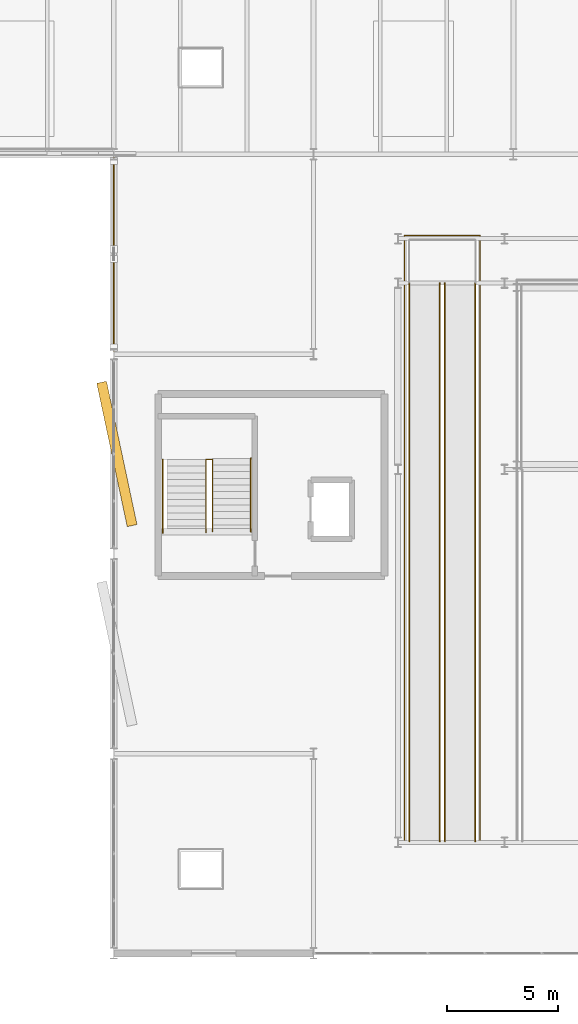
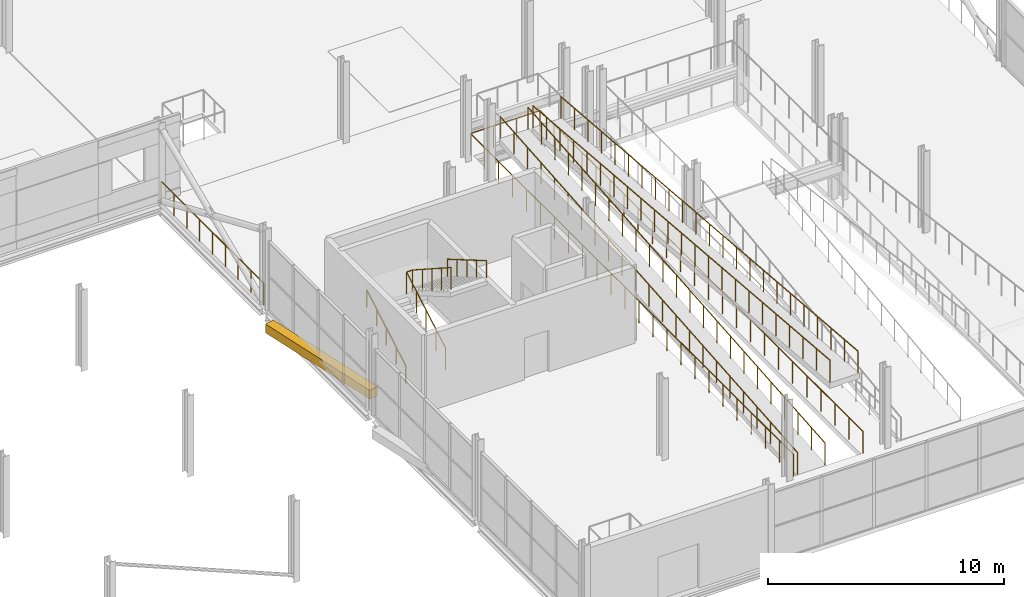
# One storey, part 131 of 140: 9 railings, 1 shading device.
"""IFC4 building model written with IfcOpenShell, lengths in metres."""

from ifc_helpers import new_model, si_unit, direction, frame, origin, origin_2d, place, context, subcontext, project, spatial, rectangle, circle, extrude, material, layer, layer_set, type_object, element, save


model = new_model("IFC4")

# Units and contexts
model_context = context("Model", 3, precision=1e-05, world=origin(), true_north=direction((0.0, 1.0)))
body_context = subcontext(model_context, "Body", "Model", "MODEL_VIEW")
ifc_project = project(units=[si_unit("LENGTHUNIT", "METRE"), si_unit("AREAUNIT", "SQUARE_METRE"), si_unit("VOLUMEUNIT", "CUBIC_METRE"), si_unit("PLANEANGLEUNIT", "RADIAN"), si_unit("MASSUNIT", "GRAM", prefix="KILO")], contexts=[model_context])

# Site, building, storey
site_placement = place(None, origin())
site = spatial("IfcSite", under=ifc_project, at=site_placement, CompositionType="ELEMENT")
building_placement = place(site_placement, origin())
building = spatial("IfcBuilding", under=site, at=building_placement, Name="Deido Ridge Mobility Hub", CompositionType="ELEMENT")
storey_placement = place(building_placement, origin())
storey = spatial("IfcBuildingStorey", under=building, at=storey_placement, Name="L00", CompositionType="ELEMENT", Elevation=0.0)

# Railings
ifc_material_1 = material(Name="Galvanised steel work", Category="steel")
railing_type_1 = type_object("IfcRailingType", Name="RL-GRD-EXT-1150", PredefinedType="GUARDRAIL", material=ifc_material_1)
railing_1_placement = place(storey_placement, frame((72.0, 72.14990234375, 0.0)))
element("IfcRailing", 1, at=railing_1_placement, inside=storey, type_object=railing_type_1, Name="Braced bay perimeter guard (L00)", PredefinedType="GUARDRAIL", context=body_context, shape_type="SweptSolid", body=[
    extrude(circle(Radius=0.02392578125, at=origin_2d()), frame((0.0, 0.0, 1.1259765625), z_axis=(0.0, 1.0, 0.0), x_axis=(-1.0, 0.0, 0.0)), (0.0, 0.0, 1.0), 8.7001953125),
    extrude(circle(Radius=0.02099609375, at=origin_2d()), origin(), (0.0, 0.0, 1.0), 1.101806640625),
    extrude(circle(Radius=0.02099609375, at=origin_2d()), frame((0.0, 1.08740234375, 0.0)), (0.0, 0.0, 1.0), 1.101806640625),
    extrude(circle(Radius=0.02099609375, at=origin_2d()), frame((0.0, 2.175048828125, 0.0)), (0.0, 0.0, 1.0), 1.101806640625),
    extrude(circle(Radius=0.02099609375, at=origin_2d()), frame((0.0, 3.2626953125, 0.0)), (0.0, 0.0, 1.0), 1.101806640625),
    extrude(circle(Radius=0.02099609375, at=origin_2d()), frame((0.0, 4.35009765625, 0.0)), (0.0, 0.0, 1.0), 1.101806640625),
    extrude(circle(Radius=0.02099609375, at=origin_2d()), frame((0.0, 5.4375, 0.0)), (0.0, 0.0, 1.0), 1.101806640625),
    extrude(circle(Radius=0.02099609375, at=origin_2d()), frame((0.0, 6.525146484375, 0.0)), (0.0, 0.0, 1.0), 1.101806640625),
    extrude(circle(Radius=0.02099609375, at=origin_2d()), frame((0.0, 7.61279296875, 0.0)), (0.0, 0.0, 1.0), 1.101806640625),
    extrude(circle(Radius=0.02099609375, at=origin_2d()), frame((0.0, 8.7001953125, 0.0)), (0.0, 0.0, 1.0), 1.101806640625),
])
railing_2_placement = place(storey_placement, frame((85.10009765625, 50.0, 0.0)))
element("IfcRailing", 2, at=railing_2_placement, inside=storey, type_object=railing_type_1, Name="Cycle ramp well guard (L00)", PredefinedType="GUARDRAIL", context=body_context, shape_type="SweptSolid", body=[
    extrude(circle(Radius=0.02392578125, at=origin_2d()), frame((0.0, 0.0, 1.1259765625), z_axis=(0.0, 1.0, 0.0), x_axis=(-1.0, 0.0, 0.0)), (0.0, 0.0, 1.0), 27.35009765625),
    extrude(circle(Radius=0.02392578125, at=origin_2d()), frame((0.0, 27.35009765625, 1.1259765625), z_axis=(1.0, 0.0, 0.0), x_axis=(0.0, 1.0, 0.0)), (0.0, 0.0, 1.0), 3.39990234375),
    extrude(circle(Radius=0.02392578125, at=origin_2d()), frame((3.39990234375, 27.35009765625, 1.1259765625), z_axis=(0.0, -1.0, 0.0), x_axis=(1.0, 0.0, 0.0)), (0.0, 0.0, 1.0), 27.35009765625),
    extrude(circle(Radius=0.02099609375, at=origin_2d()), origin(), (0.0, 0.0, 1.0), 1.101806640625),
    extrude(circle(Radius=0.02099609375, at=origin_2d()), frame((0.0, 1.189208984375, 0.0)), (0.0, 0.0, 1.0), 1.101806640625),
    extrude(circle(Radius=0.02099609375, at=origin_2d()), frame((0.0, 2.378173828125, 0.0)), (0.0, 0.0, 1.0), 1.101806640625),
    extrude(circle(Radius=0.02099609375, at=origin_2d()), frame((0.0, 3.5673828125, 0.0)), (0.0, 0.0, 1.0), 1.101806640625),
    extrude(circle(Radius=0.02099609375, at=origin_2d()), frame((0.0, 4.756591796875, 0.0)), (0.0, 0.0, 1.0), 1.101806640625),
    extrude(circle(Radius=0.02099609375, at=origin_2d()), frame((0.0, 5.945556640625, 0.0)), (0.0, 0.0, 1.0), 1.101806640625),
    extrude(circle(Radius=0.02099609375, at=origin_2d()), frame((0.0, 7.134765625, 0.0)), (0.0, 0.0, 1.0), 1.101806640625),
    extrude(circle(Radius=0.02099609375, at=origin_2d()), frame((0.0, 8.323974609375, 0.0)), (0.0, 0.0, 1.0), 1.101806640625),
    extrude(circle(Radius=0.02099609375, at=origin_2d()), frame((0.0, 9.51318359375, 0.0)), (0.0, 0.0, 1.0), 1.101806640625),
    extrude(circle(Radius=0.02099609375, at=origin_2d()), frame((0.0, 10.7021484375, 0.0)), (0.0, 0.0, 1.0), 1.101806640625),
    extrude(circle(Radius=0.02099609375, at=origin_2d()), frame((0.0, 11.891357421875, 0.0)), (0.0, 0.0, 1.0), 1.101806640625),
    extrude(circle(Radius=0.02099609375, at=origin_2d()), frame((0.0, 13.08056640625, 0.0)), (0.0, 0.0, 1.0), 1.101806640625),
    extrude(circle(Radius=0.02099609375, at=origin_2d()), frame((0.0, 14.26953125, 0.0)), (0.0, 0.0, 1.0), 1.101806640625),
    extrude(circle(Radius=0.02099609375, at=origin_2d()), frame((0.0, 15.458740234375, 0.0)), (0.0, 0.0, 1.0), 1.101806640625),
    extrude(circle(Radius=0.02099609375, at=origin_2d()), frame((0.0, 16.64794921875, 0.0)), (0.0, 0.0, 1.0), 1.101806640625),
    extrude(circle(Radius=0.02099609375, at=origin_2d()), frame((0.0, 17.8369140625, 0.0)), (0.0, 0.0, 1.0), 1.101806640625),
    extrude(circle(Radius=0.02099609375, at=origin_2d()), frame((0.0, 19.026123046875, 0.0)), (0.0, 0.0, 1.0), 1.101806640625),
    extrude(circle(Radius=0.02099609375, at=origin_2d()), frame((0.0, 20.21533203125, 0.0)), (0.0, 0.0, 1.0), 1.101806640625),
    extrude(circle(Radius=0.02099609375, at=origin_2d()), frame((0.0, 21.404541015625, 0.0)), (0.0, 0.0, 1.0), 1.101806640625),
    extrude(circle(Radius=0.02099609375, at=origin_2d()), frame((0.0, 22.593505859375, 0.0)), (0.0, 0.0, 1.0), 1.101806640625),
    extrude(circle(Radius=0.02099609375, at=origin_2d()), frame((0.0, 23.78271484375, 0.0)), (0.0, 0.0, 1.0), 1.101806640625),
    extrude(circle(Radius=0.02099609375, at=origin_2d()), frame((0.0, 24.971923828125, 0.0)), (0.0, 0.0, 1.0), 1.101806640625),
    extrude(circle(Radius=0.02099609375, at=origin_2d()), frame((0.0, 26.160888671875, 0.0)), (0.0, 0.0, 1.0), 1.101806640625),
    extrude(circle(Radius=0.02099609375, at=origin_2d()), frame((0.0, 27.35009765625, 0.0)), (0.0, 0.0, 1.0), 1.101806640625),
    extrude(circle(Radius=0.02099609375, at=origin_2d()), frame((1.13330078125, 27.35009765625, 0.0)), (0.0, 0.0, 1.0), 1.101806640625),
    extrude(circle(Radius=0.02099609375, at=origin_2d()), frame((2.2666015625, 27.35009765625, 0.0)), (0.0, 0.0, 1.0), 1.101806640625),
    extrude(circle(Radius=0.02099609375, at=origin_2d()), frame((3.39990234375, 27.35009765625, 0.0)), (0.0, 0.0, 1.0), 1.101806640625),
    extrude(circle(Radius=0.02099609375, at=origin_2d()), frame((3.39990234375, 26.160888671875, 0.0)), (0.0, 0.0, 1.0), 1.101806640625),
    extrude(circle(Radius=0.02099609375, at=origin_2d()), frame((3.39990234375, 24.971923828125, 0.0)), (0.0, 0.0, 1.0), 1.101806640625),
    extrude(circle(Radius=0.02099609375, at=origin_2d()), frame((3.39990234375, 23.78271484375, 0.0)), (0.0, 0.0, 1.0), 1.101806640625),
    extrude(circle(Radius=0.02099609375, at=origin_2d()), frame((3.39990234375, 22.593505859375, 0.0)), (0.0, 0.0, 1.0), 1.101806640625),
    extrude(circle(Radius=0.02099609375, at=origin_2d()), frame((3.39990234375, 21.404541015625, 0.0)), (0.0, 0.0, 1.0), 1.101806640625),
    extrude(circle(Radius=0.02099609375, at=origin_2d()), frame((3.39990234375, 20.21533203125, 0.0)), (0.0, 0.0, 1.0), 1.101806640625),
    extrude(circle(Radius=0.02099609375, at=origin_2d()), frame((3.39990234375, 19.026123046875, 0.0)), (0.0, 0.0, 1.0), 1.101806640625),
    extrude(circle(Radius=0.02099609375, at=origin_2d()), frame((3.39990234375, 17.8369140625, 0.0)), (0.0, 0.0, 1.0), 1.101806640625),
    extrude(circle(Radius=0.02099609375, at=origin_2d()), frame((3.39990234375, 16.64794921875, 0.0)), (0.0, 0.0, 1.0), 1.101806640625),
    extrude(circle(Radius=0.02099609375, at=origin_2d()), frame((3.39990234375, 15.458740234375, 0.0)), (0.0, 0.0, 1.0), 1.101806640625),
    extrude(circle(Radius=0.02099609375, at=origin_2d()), frame((3.39990234375, 14.26953125, 0.0)), (0.0, 0.0, 1.0), 1.101806640625),
    extrude(circle(Radius=0.02099609375, at=origin_2d()), frame((3.39990234375, 13.08056640625, 0.0)), (0.0, 0.0, 1.0), 1.101806640625),
    extrude(circle(Radius=0.02099609375, at=origin_2d()), frame((3.39990234375, 11.891357421875, 0.0)), (0.0, 0.0, 1.0), 1.101806640625),
    extrude(circle(Radius=0.02099609375, at=origin_2d()), frame((3.39990234375, 10.7021484375, 0.0)), (0.0, 0.0, 1.0), 1.101806640625),
    extrude(circle(Radius=0.02099609375, at=origin_2d()), frame((3.39990234375, 9.51318359375, 0.0)), (0.0, 0.0, 1.0), 1.101806640625),
    extrude(circle(Radius=0.02099609375, at=origin_2d()), frame((3.39990234375, 8.323974609375, 0.0)), (0.0, 0.0, 1.0), 1.101806640625),
    extrude(circle(Radius=0.02099609375, at=origin_2d()), frame((3.39990234375, 7.134765625, 0.0)), (0.0, 0.0, 1.0), 1.101806640625),
    extrude(circle(Radius=0.02099609375, at=origin_2d()), frame((3.39990234375, 5.945556640625, 0.0)), (0.0, 0.0, 1.0), 1.101806640625),
    extrude(circle(Radius=0.02099609375, at=origin_2d()), frame((3.39990234375, 4.756591796875, 0.0)), (0.0, 0.0, 1.0), 1.101806640625),
    extrude(circle(Radius=0.02099609375, at=origin_2d()), frame((3.39990234375, 3.5673828125, 0.0)), (0.0, 0.0, 1.0), 1.101806640625),
    extrude(circle(Radius=0.02099609375, at=origin_2d()), frame((3.39990234375, 2.378173828125, 0.0)), (0.0, 0.0, 1.0), 1.101806640625),
    extrude(circle(Radius=0.02099609375, at=origin_2d()), frame((3.39990234375, 1.189208984375, 0.0)), (0.0, 0.0, 1.0), 1.101806640625),
    extrude(circle(Radius=0.02099609375, at=origin_2d()), frame((3.39990234375, 0.0, 0.0)), (0.0, 0.0, 1.0), 1.101806640625),
])
railing_3_placement = place(storey_placement, frame((85.320068359375, 50.050048828125, 0.0)))
element("IfcRailing", 3, at=railing_3_placement, inside=storey, type_object=railing_type_1, Name="Cycle ramp F1 guard (L00)", PredefinedType="GUARDRAIL", context=body_context, shape_type="SweptSolid", body=[
    extrude(circle(Radius=0.02392578125, at=origin_2d()), frame((0.0, 0.0, 1.1259765625), z_axis=(0.0, 0.996531733804, 0.083213601784), x_axis=(-1.0, 0.0, 0.0)), (0.0, 0.0, 1.0), 25.237548828125),
    extrude(circle(Radius=0.02099609375, at=origin_2d()), origin(), (0.0, 0.0, 1.0), 1.101806640625),
    extrude(circle(Radius=0.02099609375, at=origin_2d()), frame((0.0, 1.14306640625, 0.095458984375)), (0.0, 0.0, 1.0), 1.101806640625),
    extrude(circle(Radius=0.02099609375, at=origin_2d()), frame((0.0, 2.286376953125, 0.19091796875)), (0.0, 0.0, 1.0), 1.101806640625),
    extrude(circle(Radius=0.02099609375, at=origin_2d()), frame((0.0, 3.429443359375, 0.286376953125)), (0.0, 0.0, 1.0), 1.101806640625),
    extrude(circle(Radius=0.02099609375, at=origin_2d()), frame((0.0, 4.57275390625, 0.3818359375)), (0.0, 0.0, 1.0), 1.101806640625),
    extrude(circle(Radius=0.02099609375, at=origin_2d()), frame((0.0, 5.7158203125, 0.477294921875)), (0.0, 0.0, 1.0), 1.101806640625),
    extrude(circle(Radius=0.02099609375, at=origin_2d()), frame((0.0, 6.859130859375, 0.57275390625)), (0.0, 0.0, 1.0), 1.101806640625),
    extrude(circle(Radius=0.02099609375, at=origin_2d()), frame((0.0, 8.002197265625, 0.668212890625)), (0.0, 0.0, 1.0), 1.101806640625),
    extrude(circle(Radius=0.02099609375, at=origin_2d()), frame((0.0, 9.1455078125, 0.763671875)), (0.0, 0.0, 1.0), 1.101806640625),
    extrude(circle(Radius=0.02099609375, at=origin_2d()), frame((0.0, 10.28857421875, 0.859130859375)), (0.0, 0.0, 1.0), 1.101806640625),
    extrude(circle(Radius=0.02099609375, at=origin_2d()), frame((0.0, 11.431884765625, 0.95458984375)), (0.0, 0.0, 1.0), 1.101806640625),
    extrude(circle(Radius=0.02099609375, at=origin_2d()), frame((0.0, 12.574951171875, 1.050048828125)), (0.0, 0.0, 1.0), 1.101806640625),
    extrude(circle(Radius=0.02099609375, at=origin_2d()), frame((0.0, 13.718017578125, 1.1455078125)), (0.0, 0.0, 1.0), 1.101806640625),
    extrude(circle(Radius=0.02099609375, at=origin_2d()), frame((0.0, 14.861328125, 1.240966796875)), (0.0, 0.0, 1.0), 1.101806640625),
    extrude(circle(Radius=0.02099609375, at=origin_2d()), frame((0.0, 16.00439453125, 1.33642578125)), (0.0, 0.0, 1.0), 1.101806640625),
    extrude(circle(Radius=0.02099609375, at=origin_2d()), frame((0.0, 17.147705078125, 1.431884765625)), (0.0, 0.0, 1.0), 1.101806640625),
    extrude(circle(Radius=0.02099609375, at=origin_2d()), frame((0.0, 18.290771484375, 1.52734375)), (0.0, 0.0, 1.0), 1.101806640625),
    extrude(circle(Radius=0.02099609375, at=origin_2d()), frame((0.0, 19.43408203125, 1.622802734375)), (0.0, 0.0, 1.0), 1.101806640625),
    extrude(circle(Radius=0.02099609375, at=origin_2d()), frame((0.0, 20.5771484375, 1.71826171875)), (0.0, 0.0, 1.0), 1.101806640625),
    extrude(circle(Radius=0.02099609375, at=origin_2d()), frame((0.0, 21.720458984375, 1.813720703125)), (0.0, 0.0, 1.0), 1.101806640625),
    extrude(circle(Radius=0.02099609375, at=origin_2d()), frame((0.0, 22.863525390625, 1.9091796875)), (0.0, 0.0, 1.0), 1.101806640625),
    extrude(circle(Radius=0.02099609375, at=origin_2d()), frame((0.0, 24.0068359375, 2.004638671875)), (0.0, 0.0, 1.0), 1.101806640625),
    extrude(circle(Radius=0.02099609375, at=origin_2d()), frame((0.0, 25.14990234375, 2.10009765625)), (0.0, 0.0, 1.0), 1.101806640625),
])
railing_4_placement = place(storey_placement, frame((86.679931640625, 50.050048828125, 0.0)))
element("IfcRailing", 4, at=railing_4_placement, inside=storey, type_object=railing_type_1, Name="Cycle ramp F1 guard (L00)", PredefinedType="GUARDRAIL", context=body_context, shape_type="SweptSolid", body=[
    extrude(circle(Radius=0.02392578125, at=origin_2d()), frame((0.0, 0.0, 1.1259765625), z_axis=(0.0, 0.996531733804, 0.083213601784), x_axis=(-1.0, 0.0, 0.0)), (0.0, 0.0, 1.0), 25.237548828125),
    extrude(circle(Radius=0.02099609375, at=origin_2d()), origin(), (0.0, 0.0, 1.0), 1.101806640625),
    extrude(circle(Radius=0.02099609375, at=origin_2d()), frame((0.0, 1.14306640625, 0.095458984375)), (0.0, 0.0, 1.0), 1.101806640625),
    extrude(circle(Radius=0.02099609375, at=origin_2d()), frame((0.0, 2.286376953125, 0.19091796875)), (0.0, 0.0, 1.0), 1.101806640625),
    extrude(circle(Radius=0.02099609375, at=origin_2d()), frame((0.0, 3.429443359375, 0.286376953125)), (0.0, 0.0, 1.0), 1.101806640625),
    extrude(circle(Radius=0.02099609375, at=origin_2d()), frame((0.0, 4.57275390625, 0.3818359375)), (0.0, 0.0, 1.0), 1.101806640625),
    extrude(circle(Radius=0.02099609375, at=origin_2d()), frame((0.0, 5.7158203125, 0.477294921875)), (0.0, 0.0, 1.0), 1.101806640625),
    extrude(circle(Radius=0.02099609375, at=origin_2d()), frame((0.0, 6.859130859375, 0.57275390625)), (0.0, 0.0, 1.0), 1.101806640625),
    extrude(circle(Radius=0.02099609375, at=origin_2d()), frame((0.0, 8.002197265625, 0.668212890625)), (0.0, 0.0, 1.0), 1.101806640625),
    extrude(circle(Radius=0.02099609375, at=origin_2d()), frame((0.0, 9.1455078125, 0.763671875)), (0.0, 0.0, 1.0), 1.101806640625),
    extrude(circle(Radius=0.02099609375, at=origin_2d()), frame((0.0, 10.28857421875, 0.859130859375)), (0.0, 0.0, 1.0), 1.101806640625),
    extrude(circle(Radius=0.02099609375, at=origin_2d()), frame((0.0, 11.431884765625, 0.95458984375)), (0.0, 0.0, 1.0), 1.101806640625),
    extrude(circle(Radius=0.02099609375, at=origin_2d()), frame((0.0, 12.574951171875, 1.050048828125)), (0.0, 0.0, 1.0), 1.101806640625),
    extrude(circle(Radius=0.02099609375, at=origin_2d()), frame((0.0, 13.718017578125, 1.1455078125)), (0.0, 0.0, 1.0), 1.101806640625),
    extrude(circle(Radius=0.02099609375, at=origin_2d()), frame((0.0, 14.861328125, 1.240966796875)), (0.0, 0.0, 1.0), 1.101806640625),
    extrude(circle(Radius=0.02099609375, at=origin_2d()), frame((0.0, 16.00439453125, 1.33642578125)), (0.0, 0.0, 1.0), 1.101806640625),
    extrude(circle(Radius=0.02099609375, at=origin_2d()), frame((0.0, 17.147705078125, 1.431884765625)), (0.0, 0.0, 1.0), 1.101806640625),
    extrude(circle(Radius=0.02099609375, at=origin_2d()), frame((0.0, 18.290771484375, 1.52734375)), (0.0, 0.0, 1.0), 1.101806640625),
    extrude(circle(Radius=0.02099609375, at=origin_2d()), frame((0.0, 19.43408203125, 1.622802734375)), (0.0, 0.0, 1.0), 1.101806640625),
    extrude(circle(Radius=0.02099609375, at=origin_2d()), frame((0.0, 20.5771484375, 1.71826171875)), (0.0, 0.0, 1.0), 1.101806640625),
    extrude(circle(Radius=0.02099609375, at=origin_2d()), frame((0.0, 21.720458984375, 1.813720703125)), (0.0, 0.0, 1.0), 1.101806640625),
    extrude(circle(Radius=0.02099609375, at=origin_2d()), frame((0.0, 22.863525390625, 1.9091796875)), (0.0, 0.0, 1.0), 1.101806640625),
    extrude(circle(Radius=0.02099609375, at=origin_2d()), frame((0.0, 24.0068359375, 2.004638671875)), (0.0, 0.0, 1.0), 1.101806640625),
    extrude(circle(Radius=0.02099609375, at=origin_2d()), frame((0.0, 25.14990234375, 2.10009765625)), (0.0, 0.0, 1.0), 1.101806640625),
])
railing_5_placement = place(storey_placement, frame((86.919921875, 75.199951171875, 2.10009765625)))
element("IfcRailing", 5, at=railing_5_placement, inside=storey, type_object=railing_type_1, Name="Cycle ramp F2 guard (L00)", PredefinedType="GUARDRAIL", context=body_context, shape_type="SweptSolid", body=[
    extrude(circle(Radius=0.02392578125, at=origin_2d()), frame((0.0, 0.0, 1.1259765625), z_axis=(0.0, -0.996532535954, 0.083203995008), x_axis=(1.0, 0.0, 0.0)), (0.0, 0.0, 1.0), 25.2373046875),
    extrude(circle(Radius=0.02099609375, at=origin_2d()), origin(), (0.0, 0.0, 1.0), 1.101806640625),
    extrude(circle(Radius=0.02099609375, at=origin_2d()), frame((0.0, -1.14306640625, 0.095458984375)), (0.0, 0.0, 1.0), 1.101806640625),
    extrude(circle(Radius=0.02099609375, at=origin_2d()), frame((0.0, -2.286376953125, 0.19091796875)), (0.0, 0.0, 1.0), 1.101806640625),
    extrude(circle(Radius=0.02099609375, at=origin_2d()), frame((0.0, -3.429443359375, 0.286376953125)), (0.0, 0.0, 1.0), 1.101806640625),
    extrude(circle(Radius=0.02099609375, at=origin_2d()), frame((0.0, -4.57275390625, 0.3818359375)), (0.0, 0.0, 1.0), 1.101806640625),
    extrude(circle(Radius=0.02099609375, at=origin_2d()), frame((0.0, -5.7158203125, 0.477294921875)), (0.0, 0.0, 1.0), 1.101806640625),
    extrude(circle(Radius=0.02099609375, at=origin_2d()), frame((0.0, -6.859130859375, 0.57275390625)), (0.0, 0.0, 1.0), 1.101806640625),
    extrude(circle(Radius=0.02099609375, at=origin_2d()), frame((0.0, -8.002197265625, 0.668212890625)), (0.0, 0.0, 1.0), 1.101806640625),
    extrude(circle(Radius=0.02099609375, at=origin_2d()), frame((0.0, -9.1455078125, 0.763671875)), (0.0, 0.0, 1.0), 1.101806640625),
    extrude(circle(Radius=0.02099609375, at=origin_2d()), frame((0.0, -10.28857421875, 0.859130859375)), (0.0, 0.0, 1.0), 1.101806640625),
    extrude(circle(Radius=0.02099609375, at=origin_2d()), frame((0.0, -11.431884765625, 0.95458984375)), (0.0, 0.0, 1.0), 1.101806640625),
    extrude(circle(Radius=0.02099609375, at=origin_2d()), frame((0.0, -12.574951171875, 1.0498046875)), (0.0, 0.0, 1.0), 1.101806640625),
    extrude(circle(Radius=0.02099609375, at=origin_2d()), frame((0.0, -13.718017578125, 1.145263671875)), (0.0, 0.0, 1.0), 1.101806640625),
    extrude(circle(Radius=0.02099609375, at=origin_2d()), frame((0.0, -14.861328125, 1.24072265625)), (0.0, 0.0, 1.0), 1.101806640625),
    extrude(circle(Radius=0.02099609375, at=origin_2d()), frame((0.0, -16.00439453125, 1.336181640625)), (0.0, 0.0, 1.0), 1.101806640625),
    extrude(circle(Radius=0.02099609375, at=origin_2d()), frame((0.0, -17.147705078125, 1.431640625)), (0.0, 0.0, 1.0), 1.101806640625),
    extrude(circle(Radius=0.02099609375, at=origin_2d()), frame((0.0, -18.290771484375, 1.527099609375)), (0.0, 0.0, 1.0), 1.101806640625),
    extrude(circle(Radius=0.02099609375, at=origin_2d()), frame((0.0, -19.43408203125, 1.62255859375)), (0.0, 0.0, 1.0), 1.101806640625),
    extrude(circle(Radius=0.02099609375, at=origin_2d()), frame((0.0, -20.5771484375, 1.718017578125)), (0.0, 0.0, 1.0), 1.101806640625),
    extrude(circle(Radius=0.02099609375, at=origin_2d()), frame((0.0, -21.720458984375, 1.8134765625)), (0.0, 0.0, 1.0), 1.101806640625),
    extrude(circle(Radius=0.02099609375, at=origin_2d()), frame((0.0, -22.863525390625, 1.908935546875)), (0.0, 0.0, 1.0), 1.101806640625),
    extrude(circle(Radius=0.02099609375, at=origin_2d()), frame((0.0, -24.0068359375, 2.00439453125)), (0.0, 0.0, 1.0), 1.101806640625),
    extrude(circle(Radius=0.02099609375, at=origin_2d()), frame((0.0, -25.14990234375, 2.099853515625)), (0.0, 0.0, 1.0), 1.101806640625),
])
railing_6_placement = place(storey_placement, frame((88.280029296875, 75.199951171875, 2.10009765625)))
element("IfcRailing", 6, at=railing_6_placement, inside=storey, type_object=railing_type_1, Name="Cycle ramp F2 guard (L00)", PredefinedType="GUARDRAIL", context=body_context, shape_type="SweptSolid", body=[
    extrude(circle(Radius=0.02392578125, at=origin_2d()), frame((0.0, 0.0, 1.1259765625), z_axis=(0.0, -0.996532535954, 0.083203995008), x_axis=(1.0, 0.0, 0.0)), (0.0, 0.0, 1.0), 25.2373046875),
    extrude(circle(Radius=0.02099609375, at=origin_2d()), origin(), (0.0, 0.0, 1.0), 1.101806640625),
    extrude(circle(Radius=0.02099609375, at=origin_2d()), frame((0.0, -1.14306640625, 0.095458984375)), (0.0, 0.0, 1.0), 1.101806640625),
    extrude(circle(Radius=0.02099609375, at=origin_2d()), frame((0.0, -2.286376953125, 0.19091796875)), (0.0, 0.0, 1.0), 1.101806640625),
    extrude(circle(Radius=0.02099609375, at=origin_2d()), frame((0.0, -3.429443359375, 0.286376953125)), (0.0, 0.0, 1.0), 1.101806640625),
    extrude(circle(Radius=0.02099609375, at=origin_2d()), frame((0.0, -4.57275390625, 0.3818359375)), (0.0, 0.0, 1.0), 1.101806640625),
    extrude(circle(Radius=0.02099609375, at=origin_2d()), frame((0.0, -5.7158203125, 0.477294921875)), (0.0, 0.0, 1.0), 1.101806640625),
    extrude(circle(Radius=0.02099609375, at=origin_2d()), frame((0.0, -6.859130859375, 0.57275390625)), (0.0, 0.0, 1.0), 1.101806640625),
    extrude(circle(Radius=0.02099609375, at=origin_2d()), frame((0.0, -8.002197265625, 0.668212890625)), (0.0, 0.0, 1.0), 1.101806640625),
    extrude(circle(Radius=0.02099609375, at=origin_2d()), frame((0.0, -9.1455078125, 0.763671875)), (0.0, 0.0, 1.0), 1.101806640625),
    extrude(circle(Radius=0.02099609375, at=origin_2d()), frame((0.0, -10.28857421875, 0.859130859375)), (0.0, 0.0, 1.0), 1.101806640625),
    extrude(circle(Radius=0.02099609375, at=origin_2d()), frame((0.0, -11.431884765625, 0.95458984375)), (0.0, 0.0, 1.0), 1.101806640625),
    extrude(circle(Radius=0.02099609375, at=origin_2d()), frame((0.0, -12.574951171875, 1.0498046875)), (0.0, 0.0, 1.0), 1.101806640625),
    extrude(circle(Radius=0.02099609375, at=origin_2d()), frame((0.0, -13.718017578125, 1.145263671875)), (0.0, 0.0, 1.0), 1.101806640625),
    extrude(circle(Radius=0.02099609375, at=origin_2d()), frame((0.0, -14.861328125, 1.24072265625)), (0.0, 0.0, 1.0), 1.101806640625),
    extrude(circle(Radius=0.02099609375, at=origin_2d()), frame((0.0, -16.00439453125, 1.336181640625)), (0.0, 0.0, 1.0), 1.101806640625),
    extrude(circle(Radius=0.02099609375, at=origin_2d()), frame((0.0, -17.147705078125, 1.431640625)), (0.0, 0.0, 1.0), 1.101806640625),
    extrude(circle(Radius=0.02099609375, at=origin_2d()), frame((0.0, -18.290771484375, 1.527099609375)), (0.0, 0.0, 1.0), 1.101806640625),
    extrude(circle(Radius=0.02099609375, at=origin_2d()), frame((0.0, -19.43408203125, 1.62255859375)), (0.0, 0.0, 1.0), 1.101806640625),
    extrude(circle(Radius=0.02099609375, at=origin_2d()), frame((0.0, -20.5771484375, 1.718017578125)), (0.0, 0.0, 1.0), 1.101806640625),
    extrude(circle(Radius=0.02099609375, at=origin_2d()), frame((0.0, -21.720458984375, 1.8134765625)), (0.0, 0.0, 1.0), 1.101806640625),
    extrude(circle(Radius=0.02099609375, at=origin_2d()), frame((0.0, -22.863525390625, 1.908935546875)), (0.0, 0.0, 1.0), 1.101806640625),
    extrude(circle(Radius=0.02099609375, at=origin_2d()), frame((0.0, -24.0068359375, 2.00439453125)), (0.0, 0.0, 1.0), 1.101806640625),
    extrude(circle(Radius=0.02099609375, at=origin_2d()), frame((0.0, -25.14990234375, 2.099853515625)), (0.0, 0.0, 1.0), 1.101806640625),
])
railing_type_2 = type_object("IfcRailingType", Name="RL-STAIR-GRD-1150", PredefinedType="GUARDRAIL", material=ifc_material_1)
railing_7_placement = place(storey_placement, frame((76.14990234375, 63.949951171875, 0.175048828125)))
element("IfcRailing", 7, at=railing_7_placement, inside=storey, type_object=railing_type_2, Name="ST4 inner well guard (L00)", PredefinedType="GUARDRAIL", context=body_context, shape_type="SweptSolid", body=[
    extrude(circle(Radius=0.02392578125, at=origin_2d()), frame((0.0, 0.0, 1.1259765625), z_axis=(0.0, 0.863776583165, 0.503874998761), x_axis=(-1.0, 0.0, 0.0)), (0.0, 0.0, 1.0), 3.820556640625),
    extrude(circle(Radius=0.02392578125, at=origin_2d()), frame((0.0, 3.300048828125, 3.05078125), z_axis=(1.0, 0.0, 0.0), x_axis=(0.0, 1.0, 0.0)), (0.0, 0.0, 1.0), 0.300048828125),
    extrude(circle(Radius=0.02392578125, at=origin_2d()), frame((0.300048828125, 3.300048828125, 3.05078125), z_axis=(0.0, -0.839933924917, 0.542688678501), x_axis=(1.0, 0.0, 0.0)), (0.0, 0.0, 1.0), 3.869384765625),
    extrude(circle(Radius=0.02099609375, at=origin_2d()), origin(), (0.0, 0.0, 1.0), 1.101806640625),
    extrude(circle(Radius=0.02099609375, at=origin_2d()), frame((0.0, 0.824951171875, 0.481201171875)), (0.0, 0.0, 1.0), 1.101806640625),
    extrude(circle(Radius=0.02099609375, at=origin_2d()), frame((0.0, 1.64990234375, 0.96240234375)), (0.0, 0.0, 1.0), 1.101806640625),
    extrude(circle(Radius=0.02099609375, at=origin_2d()), frame((0.0, 2.47509765625, 1.44384765625)), (0.0, 0.0, 1.0), 1.101806640625),
    extrude(circle(Radius=0.02099609375, at=origin_2d()), frame((0.0, 3.300048828125, 1.925048828125)), (0.0, 0.0, 1.0), 1.101806640625),
    extrude(circle(Radius=0.02099609375, at=origin_2d()), frame((0.300048828125, 3.300048828125, 1.925048828125)), (0.0, 0.0, 1.0), 1.101806640625),
    extrude(circle(Radius=0.02099609375, at=origin_2d()), frame((0.300048828125, 2.487548828125, 2.449951171875)), (0.0, 0.0, 1.0), 1.101806640625),
    extrude(circle(Radius=0.02099609375, at=origin_2d()), frame((0.300048828125, 1.675048828125, 2.97509765625)), (0.0, 0.0, 1.0), 1.101806640625),
    extrude(circle(Radius=0.02099609375, at=origin_2d()), frame((0.300048828125, 0.862548828125, 3.5)), (0.0, 0.0, 1.0), 1.101806640625),
    extrude(circle(Radius=0.02099609375, at=origin_2d()), frame((0.300048828125, 0.050048828125, 4.02490234375)), (0.0, 0.0, 1.0), 1.101806640625),
])
ifc_material_2 = material(Name="Stainless steel 316", Category="steel")
railing_type_3 = type_object("IfcRailingType", Name="RL-STAIR-HND-900", PredefinedType="HANDRAIL", material=ifc_material_2)
railing_8_placement = place(storey_placement, frame((74.2099609375, 63.949951171875, 0.175048828125)))
element("IfcRailing", 8, at=railing_8_placement, inside=storey, type_object=railing_type_3, Name="ST4 flight 1 handrail (L00)", PredefinedType="HANDRAIL", context=body_context, shape_type="SweptSolid", body=[
    extrude(circle(Radius=0.02392578125, at=origin_2d()), frame((0.0, 0.0, 0.8759765625), z_axis=(0.0, 0.863776583165, 0.503874998761), x_axis=(-1.0, 0.0, 0.0)), (0.0, 0.0, 1.0), 3.820556640625),
    extrude(circle(Radius=0.02099609375, at=origin_2d()), origin(), (0.0, 0.0, 1.0), 0.851806640625),
    extrude(circle(Radius=0.02099609375, at=origin_2d()), frame((0.0, 0.824951171875, 0.481201171875)), (0.0, 0.0, 1.0), 0.851806640625),
    extrude(circle(Radius=0.02099609375, at=origin_2d()), frame((0.0, 1.64990234375, 0.96240234375)), (0.0, 0.0, 1.0), 0.851806640625),
    extrude(circle(Radius=0.02099609375, at=origin_2d()), frame((0.0, 2.47509765625, 1.44384765625)), (0.0, 0.0, 1.0), 0.851806640625),
    extrude(circle(Radius=0.02099609375, at=origin_2d()), frame((0.0, 3.300048828125, 1.925048828125)), (0.0, 0.0, 1.0), 0.851806640625),
])
railing_9_placement = place(storey_placement, frame((78.175048828125, 67.300048828125, 2.27490234375)))
element("IfcRailing", 9, at=railing_9_placement, inside=storey, type_object=railing_type_3, Name="ST4 flight 2 handrail (L00)", PredefinedType="HANDRAIL", context=body_context, shape_type="SweptSolid", body=[
    extrude(circle(Radius=0.02392578125, at=origin_2d()), frame((0.0, 0.0, 0.8759765625), z_axis=(0.0, -0.863776583165, 0.503874998761), x_axis=(1.0, 0.0, 0.0)), (0.0, 0.0, 1.0), 3.820556640625),
    extrude(circle(Radius=0.02099609375, at=origin_2d()), origin(), (0.0, 0.0, 1.0), 0.851806640625),
    extrude(circle(Radius=0.02099609375, at=origin_2d()), frame((0.0, -0.824951171875, 0.481201171875)), (0.0, 0.0, 1.0), 0.851806640625),
    extrude(circle(Radius=0.02099609375, at=origin_2d()), frame((0.0, -1.64990234375, 0.96240234375)), (0.0, 0.0, 1.0), 0.851806640625),
    extrude(circle(Radius=0.02099609375, at=origin_2d()), frame((0.0, -2.47509765625, 1.44384765625)), (0.0, 0.0, 1.0), 0.851806640625),
    extrude(circle(Radius=0.02099609375, at=origin_2d()), frame((0.0, -3.300048828125, 1.925048828125)), (0.0, 0.0, 1.0), 0.851806640625),
])

# Shading device
ifc_material_3 = material(Name="Anodised aluminium EN AW-6063 T6", Category="aluminium")
ifc_layer = layer(ifc_material_3, 0.4599609375, Name="Anodised aluminium EN AW-6063 T6")
ifc_layer_set = layer_set([ifc_layer], Name="Anodised aluminium EN AW-6063 T6")
shading_device_type = type_object("IfcShadingDeviceType", Name="SHD-LOUVRE-450", PredefinedType="USERDEFINED", material=ifc_layer_set)
shading_device_placement = place(storey_placement, frame((72.139892578125, 67.5, -0.280029296875), z_axis=(0.0, 0.0, 1.0), x_axis=(-0.207911690818, 0.978147600734, 0.0)))
element("IfcShadingDevice", 10, at=shading_device_placement, inside=storey, type_object=shading_device_type, Name="Ramp gallery monsoon louvre SD3", ObjectType="LOUVRE", PredefinedType="USERDEFINED", context=body_context, shape_type="SweptSolid", body=[
    extrude(rectangle(XDim=6.60009765625, YDim=0.449951171875, at=origin_2d()), origin(), (0.0, 0.0, 1.0), 0.4599609375),
])

save(model, "model.ifc")
